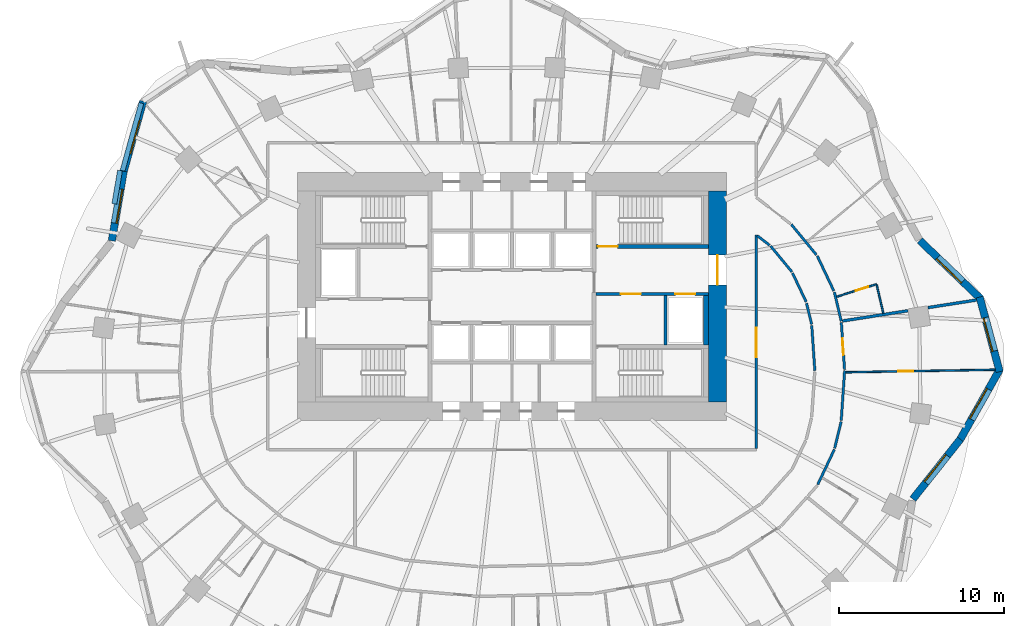
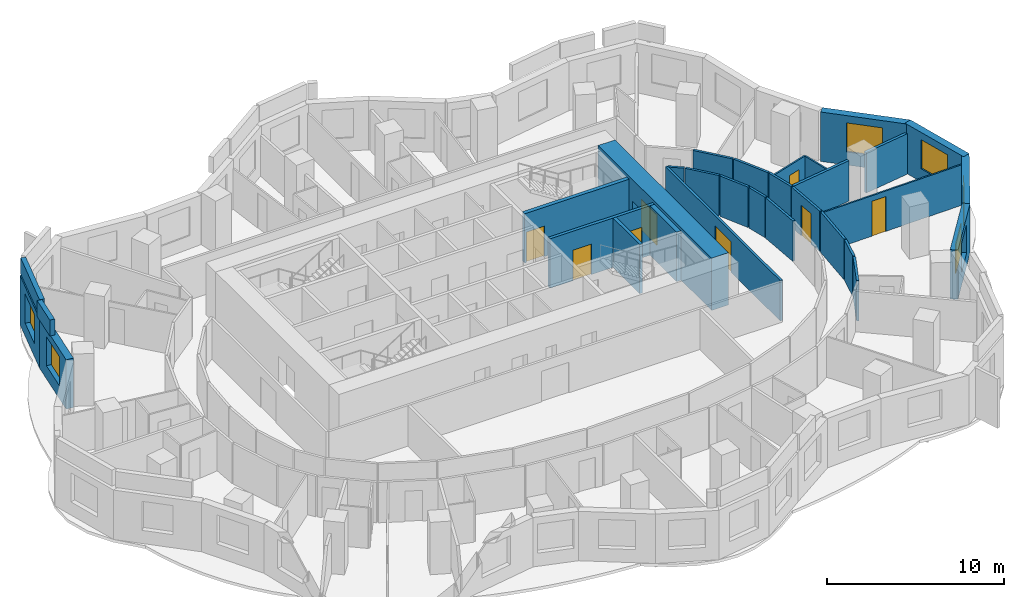
# One storey, part 7 of 11: 31 walls, 8 doors, 6 windows, 14 openings.
"""IFC4 building model written with IfcOpenShell, lengths in metres."""

from ifc_helpers import new_model, si_unit, direction, frame, frame_2d, origin, place, context, subcontext, project, spatial, rectangle, extrude, material, layer, layer_set, type_object, element, fill, save


model = new_model("IFC4")

# Units and contexts
model_context = context("Model", 3, precision=1e-05, world=origin(), true_north=direction((0.0, 1.0)))
body_context = subcontext(model_context, "Body", "Model", "MODEL_VIEW")
ifc_project = project(units=[si_unit("LENGTHUNIT", "METRE"), si_unit("AREAUNIT", "SQUARE_METRE"), si_unit("VOLUMEUNIT", "CUBIC_METRE"), si_unit("PLANEANGLEUNIT", "RADIAN"), si_unit("MASSUNIT", "GRAM", prefix="KILO")], contexts=[model_context])

# Site, building, storey
site_placement = place(None, origin())
site = spatial("IfcSite", under=ifc_project, at=site_placement, CompositionType="ELEMENT")
building_placement = place(site_placement, origin())
building = spatial("IfcBuilding", under=site, at=building_placement, Name="Rubra Terraces Tower", CompositionType="ELEMENT")
storey_placement = place(building_placement, frame((0.0, 0.0, 81.60009765625)))
storey = spatial("IfcBuildingStorey", under=building, at=storey_placement, Name="L18", CompositionType="ELEMENT", Elevation=81.60009765625)

# Walls
ifc_material_1 = material(Name="Twin plasterboard on staggered steel stud, acoustic mineral wool", Category="steel")
ifc_layer_1 = layer(ifc_material_1, 0.175048828125)
ifc_layer_set_1 = layer_set([ifc_layer_1], Name="Twin plasterboard on staggered steel stud, acoustic mineral wool")
wall_type_1 = type_object("IfcWallType", Name="ACOUSTIC PARTY WALL 175", PredefinedType="PARTITIONING", material=ifc_layer_set_1)
wall_1_placement = place(storey_placement, frame((28.1396484375, 4.282470703125, 0.0), z_axis=(0.0, 0.0, 1.0), x_axis=(-0.988018688308, -0.154334285089, 0.0)))
element("IfcWall", 1, at=wall_1_placement, inside=storey, type_object=wall_type_1, Name="PARTITION", PredefinedType="PARTITIONING", context=body_context, shape_type="SweptSolid", body=[
    extrude(rectangle(XDim=2.972412109375, YDim=0.175048828125, at=frame_2d((1.486328125, 0.0))), origin(), (0.0, 0.0, 1.0), 2.783935546875),
])
wall_2_placement = place(storey_placement, frame((23.977783203125, 3.63232421875, 0.0), z_axis=(0.0, 0.0, 1.0), x_axis=(-0.988026255512, -0.154285833501, 0.0)))
element("IfcWall", 2, at=wall_2_placement, inside=storey, type_object=wall_type_1, Name="PARTITION", PredefinedType="PARTITIONING", context=body_context, shape_type="SweptSolid", body=[
    extrude(rectangle(XDim=4.00830078125, YDim=0.175048828125, at=frame_2d((2.004150390625, 0.0))), origin(), (0.0, 0.0, 1.0), 2.783935546875),
])

# Wall, opening, window
ifc_material_2 = material(Name="Brick masonry red-brown", Category="masonry")
ifc_layer_2 = layer(ifc_material_2, 0.449951171875)
ifc_layer_set_2 = layer_set([ifc_layer_2], Name="Brick masonry red-brown")
wall_type_2 = type_object("IfcWallType", Name="Brick facade wall 450", PredefinedType="SOLIDWALL", material=ifc_layer_set_2)
wall_3_placement = place(storey_placement, frame((29.539794921875, -0.05810546875, 0.0), z_axis=(0.0, 0.0, 1.0), x_axis=(-0.258581372102, 0.96598947924, 0.0)))
wall_3 = element("IfcWall", 3, at=wall_3_placement, inside=storey, type_object=wall_type_2, Name="Facade wall L18 bay 1", PredefinedType="SOLIDWALL", context=body_context, shape_type="SweptSolid", body=[
    extrude(rectangle(XDim=4.68017578125, YDim=0.449951171875, at=frame_2d((2.340087890625, 0.0))), origin(), (0.0, 0.0, 1.0), 3.39990234375),
])
opening_1_placement = place(wall_3_placement, frame((1.2900390625, 0.0, 0.89990234375)))
opening_1 = element("IfcOpeningElement", 4, at=opening_1_placement, cuts=wall_3, Name="Opening W1", PredefinedType="OPENING", context=body_context, shape_type="SweptSolid", body=[
    extrude(rectangle(XDim=2.10009765625, YDim=2.0, at=frame_2d((1.050048828125, 1.0))), frame((0.0, 0.23486328125, 0.0), z_axis=(0.0, -1.0, 0.0), x_axis=(1.0, 0.0, 0.0)), (0.0, 0.0, 1.0), 0.469970703125),
])
ifc_material_3 = material(Name="Clear glass in aluminium frame", Category="aluminium")
window_type = type_object("IfcWindowType", Name="Fixed deep-set window 2100 x 2000", PartitioningType="SINGLE_PANEL", PredefinedType="WINDOW", material=ifc_material_3)
window_1_placement = place(opening_1_placement, origin())
window_1 = element("IfcWindow", 5, at=window_1_placement, inside=storey, type_object=window_type, Name="Window L18 bay 1", OverallHeight=2.0, OverallWidth=2.10009765625, PartitioningType="SINGLE_PANEL", PredefinedType="WINDOW", context=body_context, shape_type="SweptSolid", body=[
    extrude(rectangle(XDim=2.10009765625, YDim=2.0, at=frame_2d((1.050048828125, 1.0))), frame((0.0, 0.135009765625, 0.0), z_axis=(0.0, -1.0, 0.0), x_axis=(1.0, 0.0, 0.0)), (0.0, 0.0, 1.0), 0.06005859375),
])
fill(opening_1, window_1)

wall_4_placement = place(storey_placement, frame((28.38720703125, 4.362548828125, 0.0), z_axis=(0.0, 0.0, 1.0), x_axis=(-0.722717697728, 0.691143349379, 0.0)))
wall_4 = element("IfcWall", 6, at=wall_4_placement, inside=storey, type_object=wall_type_2, Name="Facade wall L18 bay 2", PredefinedType="SOLIDWALL", context=body_context, shape_type="SweptSolid", body=[
    extrude(rectangle(XDim=5.103271484375, YDim=0.449951171875, at=frame_2d((2.5517578125, 0.0))), origin(), (0.0, 0.0, 1.0), 3.39990234375),
])
opening_2_placement = place(wall_4_placement, frame((1.501708984375, 0.0, 0.89990234375)))
opening_2 = element("IfcOpeningElement", 7, at=opening_2_placement, cuts=wall_4, Name="Opening W1", PredefinedType="OPENING", context=body_context, shape_type="SweptSolid", body=[
    extrude(rectangle(XDim=2.10009765625, YDim=2.0, at=frame_2d((1.050048828125, 1.0))), frame((0.0, 0.23486328125, 0.0), z_axis=(0.0, -1.0, 0.0), x_axis=(1.0, 0.0, 0.0)), (0.0, 0.0, 1.0), 0.469970703125),
])
window_2_placement = place(opening_2_placement, origin())
window_2 = element("IfcWindow", 8, at=window_2_placement, inside=storey, type_object=window_type, Name="Window L18 bay 2", OverallHeight=2.0, OverallWidth=2.10009765625, PartitioningType="SINGLE_PANEL", PredefinedType="WINDOW", context=body_context, shape_type="SweptSolid", body=[
    extrude(rectangle(XDim=2.10009765625, YDim=2.0, at=frame_2d((1.050048828125, 1.0))), frame((0.0, 0.135009765625, 0.0), z_axis=(0.0, -1.0, 0.0), x_axis=(1.0, 0.0, 0.0)), (0.0, 0.0, 1.0), 0.06005859375),
])
fill(opening_2, window_2)

wall_5_placement = place(storey_placement, frame((-22.343505859375, 16.32568359375, 0.0), z_axis=(0.0, 0.0, 1.0), x_axis=(-0.267925456304, -0.963439645159, 0.0)))
wall_5 = element("IfcWall", 9, at=wall_5_placement, inside=storey, type_object=wall_type_2, Name="Facade wall L18 bay 17", PredefinedType="SOLIDWALL", context=body_context, shape_type="SweptSolid", body=[
    extrude(rectangle(XDim=4.4267578125, YDim=0.449951171875, at=frame_2d((2.21337890625, 0.0))), origin(), (0.0, 0.0, 1.0), 3.39990234375),
])
opening_3_placement = place(wall_5_placement, frame((1.16357421875, 0.0, 0.89990234375)))
opening_3 = element("IfcOpeningElement", 10, at=opening_3_placement, cuts=wall_5, Name="Opening W1", PredefinedType="OPENING", context=body_context, shape_type="SweptSolid", body=[
    extrude(rectangle(XDim=2.10009765625, YDim=2.0, at=frame_2d((1.050048828125, 1.0))), frame((0.0, 0.23486328125, 0.0), z_axis=(0.0, -1.0, 0.0), x_axis=(1.0, 0.0, 0.0)), (0.0, 0.0, 1.0), 0.469970703125),
])
window_3_placement = place(opening_3_placement, origin())
window_3 = element("IfcWindow", 11, at=window_3_placement, inside=storey, type_object=window_type, Name="Window L18 bay 17", OverallHeight=2.0, OverallWidth=2.10009765625, PartitioningType="SINGLE_PANEL", PredefinedType="WINDOW", context=body_context, shape_type="SweptSolid", body=[
    extrude(rectangle(XDim=2.10009765625, YDim=2.0, at=frame_2d((1.050048828125, 1.0))), frame((0.0, 0.135009765625, 0.0), z_axis=(0.0, -1.0, 0.0), x_axis=(1.0, 0.0, 0.0)), (0.0, 0.0, 1.0), 0.06005859375),
])
fill(opening_3, window_3)

wall_6_placement = place(storey_placement, frame((-23.524169921875, 12.0830078125, 0.0), z_axis=(0.0, 0.0, 1.0), x_axis=(-0.167445072349, -0.985881406532, 0.0)))
wall_6 = element("IfcWall", 12, at=wall_6_placement, inside=storey, type_object=wall_type_2, Name="Facade wall L18 bay 18", PredefinedType="SOLIDWALL", context=body_context, shape_type="SweptSolid", body=[
    extrude(rectangle(XDim=4.27490234375, YDim=0.449951171875, at=frame_2d((2.137451171875, 0.0))), origin(), (0.0, 0.0, 1.0), 3.39990234375),
])
opening_4_placement = place(wall_6_placement, frame((1.08740234375, 0.0, 0.89990234375)))
opening_4 = element("IfcOpeningElement", 13, at=opening_4_placement, cuts=wall_6, Name="Opening W1", PredefinedType="OPENING", context=body_context, shape_type="SweptSolid", body=[
    extrude(rectangle(XDim=2.10009765625, YDim=2.0, at=frame_2d((1.050048828125, 1.0))), frame((0.0, 0.23486328125, 0.0), z_axis=(0.0, -1.0, 0.0), x_axis=(1.0, 0.0, 0.0)), (0.0, 0.0, 1.0), 0.469970703125),
])
window_4_placement = place(opening_4_placement, origin())
window_4 = element("IfcWindow", 14, at=window_4_placement, inside=storey, type_object=window_type, Name="Window L18 bay 18", OverallHeight=2.0, OverallWidth=2.10009765625, PartitioningType="SINGLE_PANEL", PredefinedType="WINDOW", context=body_context, shape_type="SweptSolid", body=[
    extrude(rectangle(XDim=2.10009765625, YDim=2.0, at=frame_2d((1.050048828125, 1.0))), frame((0.0, 0.135009765625, 0.0), z_axis=(0.0, -1.0, 0.0), x_axis=(1.0, 0.0, 0.0)), (0.0, 0.0, 1.0), 0.06005859375),
])
fill(opening_4, window_4)

wall_7_placement = place(storey_placement, frame((24.2822265625, -7.773681640625, 0.0), z_axis=(0.0, 0.0, 1.0), x_axis=(0.621735490397, 0.783227285008, 0.0)))
wall_7 = element("IfcWall", 15, at=wall_7_placement, inside=storey, type_object=wall_type_2, Name="Facade wall L18 bay 39", PredefinedType="SOLIDWALL", context=body_context, shape_type="SweptSolid", body=[
    extrude(rectangle(XDim=4.62451171875, YDim=0.449951171875, at=frame_2d((2.312255859375, 0.0))), origin(), (0.0, 0.0, 1.0), 3.39990234375),
])
opening_5_placement = place(wall_7_placement, frame((1.26220703125, 0.0, 0.89990234375)))
opening_5 = element("IfcOpeningElement", 16, at=opening_5_placement, cuts=wall_7, Name="Opening W1", PredefinedType="OPENING", context=body_context, shape_type="SweptSolid", body=[
    extrude(rectangle(XDim=2.10009765625, YDim=2.0, at=frame_2d((1.050048828125, 1.0))), frame((0.0, 0.23486328125, 0.0), z_axis=(0.0, -1.0, 0.0), x_axis=(1.0, 0.0, 0.0)), (0.0, 0.0, 1.0), 0.469970703125),
])
window_5_placement = place(opening_5_placement, origin())
window_5 = element("IfcWindow", 17, at=window_5_placement, inside=storey, type_object=window_type, Name="Window L18 bay 39", OverallHeight=2.0, OverallWidth=2.10009765625, PartitioningType="SINGLE_PANEL", PredefinedType="WINDOW", context=body_context, shape_type="SweptSolid", body=[
    extrude(rectangle(XDim=2.10009765625, YDim=2.0, at=frame_2d((1.050048828125, 1.0))), frame((0.0, 0.135009765625, 0.0), z_axis=(0.0, -1.0, 0.0), x_axis=(1.0, 0.0, 0.0)), (0.0, 0.0, 1.0), 0.06005859375),
])
fill(opening_5, window_5)

wall_8_placement = place(storey_placement, frame((27.138427734375, -4.180908203125, 0.0), z_axis=(0.0, 0.0, 1.0), x_axis=(0.491588303761, 0.870827732451, 0.0)))
wall_8 = element("IfcWall", 18, at=wall_8_placement, inside=storey, type_object=wall_type_2, Name="Facade wall L18 bay 40", PredefinedType="SOLIDWALL", context=body_context, shape_type="SweptSolid", body=[
    extrude(rectangle(XDim=4.924072265625, YDim=0.449951171875, at=frame_2d((2.4619140625, 0.0))), origin(), (0.0, 0.0, 1.0), 3.39990234375),
])
opening_6_placement = place(wall_8_placement, frame((1.412109375, 0.0, 0.89990234375)))
opening_6 = element("IfcOpeningElement", 19, at=opening_6_placement, cuts=wall_8, Name="Opening W1", PredefinedType="OPENING", context=body_context, shape_type="SweptSolid", body=[
    extrude(rectangle(XDim=2.10009765625, YDim=2.0, at=frame_2d((1.050048828125, 1.0))), frame((0.0, 0.23486328125, 0.0), z_axis=(0.0, -1.0, 0.0), x_axis=(1.0, 0.0, 0.0)), (0.0, 0.0, 1.0), 0.469970703125),
])
window_6_placement = place(opening_6_placement, origin())
window_6 = element("IfcWindow", 20, at=window_6_placement, inside=storey, type_object=window_type, Name="Window L18 bay 40", OverallHeight=2.0, OverallWidth=2.10009765625, PartitioningType="SINGLE_PANEL", PredefinedType="WINDOW", context=body_context, shape_type="SweptSolid", body=[
    extrude(rectangle(XDim=2.10009765625, YDim=2.0, at=frame_2d((1.050048828125, 1.0))), frame((0.0, 0.135009765625, 0.0), z_axis=(0.0, -1.0, 0.0), x_axis=(1.0, 0.0, 0.0)), (0.0, 0.0, 1.0), 0.06005859375),
])
fill(opening_6, window_6)

# Walls
ifc_layer_3 = layer(ifc_material_2, 0.300048828125)
ifc_layer_set_3 = layer_set([ifc_layer_3], Name="Brick masonry red-brown")
wall_type_3 = type_object("IfcWallType", Name="Brick parapet 300", PredefinedType="PARAPET", material=ifc_layer_set_3)
wall_9_placement = place(storey_placement, frame((-22.452392578125, 16.213134765625, 3.599853515625), z_axis=(0.0, 0.0, 1.0), x_axis=(-0.267993020858, -0.963420853403, 0.0)))
element("IfcWall", 21, at=wall_9_placement, inside=storey, type_object=wall_type_3, Name="Parapet L18 bay 17", PredefinedType="PARAPET", context=body_context, shape_type="SweptSolid", body=[
    extrude(rectangle(XDim=4.25537109375, YDim=0.300048828125, at=frame_2d((2.127685546875, 0.0))), origin(), (0.0, 0.0, 1.0), 1.10009765625),
])
wall_10_placement = place(storey_placement, frame((-23.7451171875, 12.125, 3.599853515625), z_axis=(0.0, 0.0, 1.0), x_axis=(-0.16743218322, -0.985883595574, 0.0)))
element("IfcWall", 22, at=wall_10_placement, inside=storey, type_object=wall_type_3, Name="Parapet L18 bay 18", PredefinedType="PARAPET", context=body_context, shape_type="SweptSolid", body=[
    extrude(rectangle(XDim=2.048583984375, YDim=0.300048828125, at=frame_2d((1.0244140625, 0.0))), origin(), (0.0, 0.0, 1.0), 1.10009765625),
])

# Wall, opening, door
ifc_material_4 = material(Name="Concrete C60", Category="concrete")
ifc_layer_4 = layer(ifc_material_4, 1.10009765625)
ifc_layer_set_4 = layer_set([ifc_layer_4], Name="Concrete C60")
wall_type_4 = type_object("IfcWallType", Name="CORE WALL 1100 C60", PredefinedType="SHEAR", material=ifc_layer_set_4)
wall_11_placement = place(storey_placement, frame((12.449951171875, -1.89990234375, 0.0), z_axis=(0.0, 0.0, 1.0), x_axis=(0.0, 1.0, 0.0)))
wall_11 = element("IfcWall", 23, at=wall_11_placement, inside=storey, type_object=wall_type_4, Name="CORE WALL E L18", PredefinedType="SHEAR", context=body_context, shape_type="SweptSolid", body=[
    extrude(rectangle(XDim=12.7998046875, YDim=1.10009765625, at=frame_2d((6.39990234375, 0.0))), origin(), (0.0, 0.0, 1.0), 3.599853515625),
])
opening_7_placement = place(wall_11_placement, frame((7.10009765625, 0.0, 0.0)))
opening_7 = element("IfcOpeningElement", 24, at=opening_7_placement, cuts=wall_11, Name="Opening L18.C02", PredefinedType="OPENING", context=body_context, shape_type="SweptSolid", body=[
    extrude(rectangle(XDim=1.800048828125, YDim=2.10009765625, at=frame_2d((0.89990234375, 1.050048828125))), frame((0.0, 0.56005859375, 0.0), z_axis=(0.0, -1.0, 0.0), x_axis=(1.0, 0.0, 0.0)), (0.0, 0.0, 1.0), 1.1201171875),
])
ifc_material_5 = material(Name="Painted steel", Category="steel")
door_type_1 = type_object("IfcDoorType", Name="Fire door 1800x2100 double", OperationType="NOTDEFINED", PredefinedType="DOOR", material=ifc_material_5)
door_1_placement = place(opening_7_placement, origin())
door_1 = element("IfcDoor", 25, at=door_1_placement, inside=storey, type_object=door_type_1, Name="Core entrance door FF2", OperationType="DOUBLE_DOOR_SINGLE_SWING", OverallHeight=2.10009765625, OverallWidth=1.800048828125, PredefinedType="DOOR", context=body_context, shape_type="SweptSolid", body=[
    extrude(rectangle(XDim=1.800048828125, YDim=2.10009765625, at=frame_2d((0.89990234375, 1.050048828125))), frame((0.0, 0.02490234375, 0.0), z_axis=(0.0, -1.0, 0.0), x_axis=(1.0, 0.0, 0.0)), (0.0, 0.0, 1.0), 0.050048828125),
])
fill(opening_7, door_1)

# Walls
ifc_material_6 = material(Name="Plasterboard on steel stud, mineral wool infill", Category="steel")
ifc_layer_5 = layer(ifc_material_6, 0.14990234375)
ifc_layer_set_5 = layer_set([ifc_layer_5], Name="Plasterboard on steel stud, mineral wool infill")
wall_type_5 = type_object("IfcWallType", Name="CORRIDOR PARTITION 150", PredefinedType="PARTITIONING", material=ifc_layer_set_5)
wall_12_placement = place(storey_placement, frame((19.943359375, 3.002197265625, 0.0), z_axis=(0.0, 0.0, 1.0), x_axis=(-0.22915183129, 0.973390691458, 0.0)))
element("IfcWall", 26, at=wall_12_placement, inside=storey, type_object=wall_type_5, Name="PARTITION", PredefinedType="PARTITIONING", context=body_context, shape_type="SweptSolid", body=[
    extrude(rectangle(XDim=1.814453125, YDim=0.14990234375, at=frame_2d((0.9072265625, 0.0))), origin(), (0.0, 0.0, 1.0), 2.783935546875),
])
wall_13_placement = place(storey_placement, frame((19.495361328125, 4.836181640625, 0.0), z_axis=(0.0, 0.0, 1.0), x_axis=(-0.428157819028, 0.903703979191, 0.0)))
element("IfcWall", 27, at=wall_13_placement, inside=storey, type_object=wall_type_5, Name="PARTITION", PredefinedType="PARTITIONING", context=body_context, shape_type="SweptSolid", body=[
    extrude(rectangle(XDim=2.349365234375, YDim=0.14990234375, at=frame_2d((1.1748046875, 0.0))), origin(), (0.0, 0.0, 1.0), 2.783935546875),
])
wall_14_placement = place(storey_placement, frame((18.44189453125, 7.01708984375, 0.0), z_axis=(0.0, 0.0, 1.0), x_axis=(-0.636538018119, 0.7712453251, 0.0)))
element("IfcWall", 28, at=wall_14_placement, inside=storey, type_object=wall_type_5, Name="PARTITION", PredefinedType="PARTITIONING", context=body_context, shape_type="SweptSolid", body=[
    extrude(rectangle(XDim=2.388671875, YDim=0.14990234375, at=frame_2d((1.1943359375, 0.0))), origin(), (0.0, 0.0, 1.0), 2.783935546875),
])
wall_15_placement = place(storey_placement, frame((18.521728515625, -6.891357421875, 0.0), z_axis=(0.0, 0.0, 1.0), x_axis=(0.428157819028, 0.903703979191, 0.0)))
element("IfcWall", 29, at=wall_15_placement, inside=storey, type_object=wall_type_5, Name="PARTITION", PredefinedType="PARTITIONING", context=body_context, shape_type="SweptSolid", body=[
    extrude(rectangle(XDim=2.349365234375, YDim=0.14990234375, at=frame_2d((1.1748046875, 0.0))), origin(), (0.0, 0.0, 1.0), 2.783935546875),
])
wall_16_placement = place(storey_placement, frame((19.54541015625, -4.695556640625, 0.0), z_axis=(0.0, 0.0, 1.0), x_axis=(0.23674251562, 0.971572427201, 0.0)))
element("IfcWall", 30, at=wall_16_placement, inside=storey, type_object=wall_type_5, Name="PARTITION", PredefinedType="PARTITIONING", context=body_context, shape_type="SweptSolid", body=[
    extrude(rectangle(XDim=1.6572265625, YDim=0.14990234375, at=frame_2d((0.82861328125, 0.0))), origin(), (0.0, 0.0, 1.0), 2.783935546875),
])
wall_17_placement = place(storey_placement, frame((19.94287109375, -3.0107421875, 0.0), z_axis=(0.0, 0.0, 1.0), x_axis=(0.068280105787, 0.997666190243, 0.0)))
element("IfcWall", 31, at=wall_17_placement, inside=storey, type_object=wall_type_5, Name="PARTITION", PredefinedType="PARTITIONING", context=body_context, shape_type="SweptSolid", body=[
    extrude(rectangle(XDim=3.017822265625, YDim=0.14990234375, at=frame_2d((1.5087890625, 0.0))), origin(), (0.0, 0.0, 1.0), 2.783935546875),
])

# Wall, opening, door
wall_18_placement = place(storey_placement, frame((20.143798828125, 0.07470703125, 0.0), z_axis=(0.0, 0.0, 1.0), x_axis=(-0.068303949208, 0.997664558117, 0.0)))
wall_18 = element("IfcWall", 32, at=wall_18_placement, inside=storey, type_object=wall_type_5, Name="PARTITION", PredefinedType="PARTITIONING", context=body_context, shape_type="SweptSolid", body=[
    extrude(rectangle(XDim=2.859375, YDim=0.14990234375, at=frame_2d((1.4296875, 0.0))), origin(), (0.0, 0.0, 1.0), 2.783935546875),
])
opening_8_placement = place(wall_18_placement, frame((0.882080078125, 0.0, 0.0)))
opening_8 = element("IfcOpeningElement", 33, at=opening_8_placement, cuts=wall_18, Name="Opening 18-135", PredefinedType="OPENING", context=body_context, shape_type="SweptSolid", body=[
    extrude(rectangle(XDim=1.0, YDim=2.10009765625, at=frame_2d((0.5, 1.050048828125))), frame((0.0, 0.0849609375, 0.0), z_axis=(0.0, -1.0, 0.0), x_axis=(1.0, 0.0, 0.0)), (0.0, 0.0, 1.0), 0.169921875),
])
ifc_material_7 = material(Name="Painted timber door leaf", Category="wood")
door_type_2 = type_object("IfcDoorType", Name="ROOM DOOR 1000 X 2100", OperationType="SINGLE_SWING_LEFT", PredefinedType="DOOR", material=ifc_material_7)
door_2_placement = place(opening_8_placement, origin())
door_2 = element("IfcDoor", 34, at=door_2_placement, inside=storey, type_object=door_type_2, Name="DOOR 18-135", OperationType="SINGLE_SWING_RIGHT", OverallHeight=2.10009765625, OverallWidth=1.0, PredefinedType="DOOR", context=body_context, shape_type="SweptSolid", body=[
    extrude(rectangle(XDim=1.0, YDim=2.10009765625, at=frame_2d((0.5, 1.050048828125))), frame((0.0, 0.02490234375, 0.0), z_axis=(0.0, -1.0, 0.0), x_axis=(1.0, 0.0, 0.0)), (0.0, 0.0, 1.0), 0.050048828125),
])
fill(opening_8, door_2)

# Walls
wall_19_placement = place(storey_placement, frame((15.66162109375, 7.557861328125, 0.0), z_axis=(0.0, 0.0, 1.0), x_axis=(0.636500564941, -0.7712762351, 0.0)))
element("IfcWall", 35, at=wall_19_placement, inside=storey, type_object=wall_type_5, Name="PARTITION", PredefinedType="PARTITIONING", context=body_context, shape_type="SweptSolid", body=[
    extrude(rectangle(XDim=2.037841796875, YDim=0.14990234375, at=frame_2d((1.01904296875, 0.0))), origin(), (0.0, 0.0, 1.0), 2.783935546875),
])
wall_20_placement = place(storey_placement, frame((16.990966796875, 5.918212890625, 0.0), z_axis=(0.0, 0.0, 1.0), x_axis=(0.428199863362, -0.903684058185, 0.0)))
element("IfcWall", 36, at=wall_20_placement, inside=storey, type_object=wall_type_5, Name="PARTITION", PredefinedType="PARTITIONING", context=body_context, shape_type="SweptSolid", body=[
    extrude(rectangle(XDim=1.94140625, YDim=0.14990234375, at=frame_2d((0.970703125, 0.0))), origin(), (0.0, 0.0, 1.0), 2.783935546875),
])
wall_21_placement = place(storey_placement, frame((17.840087890625, 4.0908203125, 0.0), z_axis=(0.0, 0.0, 1.0), x_axis=(0.236653741324, -0.971594054489, 0.0)))
element("IfcWall", 37, at=wall_21_placement, inside=storey, type_object=wall_type_5, Name="PARTITION", PredefinedType="PARTITIONING", context=body_context, shape_type="SweptSolid", body=[
    extrude(rectangle(XDim=1.319580078125, YDim=0.14990234375, at=frame_2d((0.65966796875, 0.0))), origin(), (0.0, 0.0, 1.0), 2.783935546875),
])
wall_22_placement = place(storey_placement, frame((18.157470703125, 2.734130859375, 0.0), z_axis=(0.0, 0.0, 1.0), x_axis=(0.068328193832, -0.997662897941, 0.0)))
element("IfcWall", 38, at=wall_22_placement, inside=storey, type_object=wall_type_5, Name="PARTITION", PredefinedType="PARTITIONING", context=body_context, shape_type="SweptSolid", body=[
    extrude(rectangle(XDim=2.740478515625, YDim=0.14990234375, at=frame_2d((1.3701171875, 0.0))), origin(), (0.0, 0.0, 1.0), 2.783935546875),
])

# Wall, opening, door
wall_23_placement = place(storey_placement, frame((14.800048828125, -4.72509765625, 0.0), z_axis=(0.0, 0.0, 1.0), x_axis=(0.0, 1.0, 0.0)))
wall_23 = element("IfcWall", 39, at=wall_23_placement, inside=storey, type_object=wall_type_5, Name="PARTITION", PredefinedType="PARTITIONING", context=body_context, shape_type="SweptSolid", body=[
    extrude(rectangle(XDim=12.947998046875, YDim=0.14990234375, at=frame_2d((6.47412109375, 0.0))), origin(), (0.0, 0.0, 1.0), 2.783935546875),
])
opening_9_placement = place(wall_23_placement, frame((5.535888671875, 0.0, 0.0)))
opening_9 = element("IfcOpeningElement", 40, at=opening_9_placement, cuts=wall_23, Name="Opening 18-138", PredefinedType="OPENING", context=body_context, shape_type="SweptSolid", body=[
    extrude(rectangle(XDim=1.800048828125, YDim=2.10009765625, at=frame_2d((0.89990234375, 1.050048828125))), frame((0.0, 0.0849609375, 0.0), z_axis=(0.0, -1.0, 0.0), x_axis=(1.0, 0.0, 0.0)), (0.0, 0.0, 1.0), 0.169921875),
])
ifc_material_8 = material(Name="Painted timber door leaf, double", Category="wood")
door_type_3 = type_object("IfcDoorType", Name="ROOM DOUBLE DOOR 1800 X 2100", OperationType="DOUBLE_DOOR_SINGLE_SWING", PredefinedType="DOOR", material=ifc_material_8)
door_3_placement = place(opening_9_placement, origin())
door_3 = element("IfcDoor", 41, at=door_3_placement, inside=storey, type_object=door_type_3, Name="DOOR 18-138", OperationType="DOUBLE_DOOR_SINGLE_SWING", OverallHeight=2.10009765625, OverallWidth=1.800048828125, PredefinedType="DOOR", context=body_context, shape_type="SweptSolid", body=[
    extrude(rectangle(XDim=1.800048828125, YDim=2.10009765625, at=frame_2d((0.89990234375, 1.050048828125))), frame((0.0, 0.02490234375, 0.0), z_axis=(0.0, -1.0, 0.0), x_axis=(1.0, 0.0, 0.0)), (0.0, 0.0, 1.0), 0.050048828125),
])
fill(opening_9, door_3)

# Walls
wall_24_placement = place(storey_placement, frame((14.859375, 8.177001953125, 0.0), z_axis=(0.0, 0.0, 1.0), x_axis=(0.791588113465, -0.611055037309, 0.0)))
element("IfcWall", 42, at=wall_24_placement, inside=storey, type_object=wall_type_5, Name="PARTITION", PredefinedType="PARTITIONING", context=body_context, shape_type="SweptSolid", body=[
    extrude(rectangle(XDim=0.9384765625, YDim=0.14990234375, at=frame_2d((0.46923828125, 0.0))), origin(), (0.0, 0.0, 1.0), 2.783935546875),
])
ifc_material_9 = material(Name="Concrete C40", Category="concrete")
ifc_layer_6 = layer(ifc_material_9, 0.300048828125)
ifc_layer_set_6 = layer_set([ifc_layer_6], Name="Concrete C40")
wall_type_6 = type_object("IfcWallType", Name="Core lining wall 300 concrete", PredefinedType="SOLIDWALL", material=ifc_layer_set_6)
wall_25_placement = place(storey_placement, frame((11.75, 4.550048828125, 0.0), z_axis=(0.0, 0.0, 1.0), x_axis=(0.0, -1.0, 0.0)))
element("IfcWall", 43, at=wall_25_placement, inside=storey, type_object=wall_type_6, Name="CORE LINING WALL L18", PredefinedType="SOLIDWALL", context=body_context, shape_type="SweptSolid", body=[
    extrude(rectangle(XDim=3.0, YDim=0.300048828125, at=frame_2d((1.5, 0.0))), origin(), (0.0, 0.0, 1.0), 3.39990234375),
])

# Wall, openings, doors
ifc_material_10 = material(Name="Concrete C30", Category="concrete")
ifc_layer_7 = layer(ifc_material_10, 0.199951171875)
ifc_layer_set_7 = layer_set([ifc_layer_7], Name="Concrete C30")
wall_type_7 = type_object("IfcWallType", Name="Core wall 200 concrete", PredefinedType="SOLIDWALL", material=ifc_layer_set_7)
wall_26_placement = place(storey_placement, frame((11.89990234375, 4.64990234375, 0.0), z_axis=(0.0, 0.0, 1.0), x_axis=(-1.0, 0.0, 0.0)))
wall_26 = element("IfcWall", 44, at=wall_26_placement, inside=storey, type_object=wall_type_7, Name="STAIR WALL L18", PredefinedType="SOLIDWALL", context=body_context, shape_type="SweptSolid", body=[
    extrude(rectangle(XDim=6.7998046875, YDim=0.199951171875, at=frame_2d((3.39990234375, 0.0))), origin(), (0.0, 0.0, 1.0), 3.39990234375),
])
opening_10_placement = place(wall_26_placement, frame((4.10009765625, 0.0, 0.0)))
opening_10 = element("IfcOpeningElement", 45, at=opening_10_placement, cuts=wall_26, Name="Opening L18.C06", PredefinedType="OPENING", context=body_context, shape_type="SweptSolid", body=[
    extrude(rectangle(XDim=1.199951171875, YDim=2.10009765625, at=frame_2d((0.60009765625, 1.050048828125))), frame((0.0, 0.10986328125, 0.0), z_axis=(0.0, -1.0, 0.0), x_axis=(1.0, 0.0, 0.0)), (0.0, 0.0, 1.0), 0.219970703125),
])
opening_11_placement = place(wall_26_placement, frame((0.800048828125, 0.0, 0.0)))
opening_11 = element("IfcOpeningElement", 46, at=opening_11_placement, cuts=wall_26, Name="Opening L18.C12", PredefinedType="OPENING", context=body_context, shape_type="SweptSolid", body=[
    extrude(rectangle(XDim=1.199951171875, YDim=2.10009765625, at=frame_2d((0.60009765625, 1.050048828125))), frame((0.0, 0.10986328125, 0.0), z_axis=(0.0, -1.0, 0.0), x_axis=(1.0, 0.0, 0.0)), (0.0, 0.0, 1.0), 0.219970703125),
])
door_type_4 = type_object("IfcDoorType", Name="Fire door 1200x2100 single", OperationType="NOTDEFINED", PredefinedType="DOOR", material=ifc_material_5)
door_4_placement = place(opening_10_placement, origin())
door_4 = element("IfcDoor", 47, at=door_4_placement, inside=storey, type_object=door_type_4, Name="Stair vestibule door S4", OperationType="SINGLE_SWING_RIGHT", OverallHeight=2.10009765625, OverallWidth=1.199951171875, PredefinedType="DOOR", context=body_context, shape_type="SweptSolid", body=[
    extrude(rectangle(XDim=1.199951171875, YDim=2.10009765625, at=frame_2d((0.60009765625, 1.050048828125))), frame((0.0, 0.02490234375, 0.0), z_axis=(0.0, -1.0, 0.0), x_axis=(1.0, 0.0, 0.0)), (0.0, 0.0, 1.0), 0.050048828125),
])
fill(opening_10, door_4)
ifc_material_11 = material(Name="Stainless steel", Category="steel")
door_type_5 = type_object("IfcDoorType", Name="Lift landing door 1200x2100", OperationType="NOTDEFINED", PredefinedType="DOOR", material=ifc_material_11)
door_5_placement = place(opening_11_placement, origin())
door_5 = element("IfcDoor", 48, at=door_5_placement, inside=storey, type_object=door_type_5, Name="Landing door FF2", OperationType="SLIDING_TO_RIGHT", OverallHeight=2.10009765625, OverallWidth=1.199951171875, PredefinedType="DOOR", context=body_context, shape_type="SweptSolid", body=[
    extrude(rectangle(XDim=1.199951171875, YDim=2.10009765625, at=frame_2d((0.60009765625, 1.050048828125))), frame((0.0, 0.02490234375, 0.0), z_axis=(0.0, -1.0, 0.0), x_axis=(1.0, 0.0, 0.0)), (0.0, 0.0, 1.0), 0.050048828125),
])
fill(opening_11, door_5)

# Wall
wall_27_placement = place(storey_placement, frame((9.300048828125, 4.550048828125, 0.0), z_axis=(0.0, 0.0, 1.0), x_axis=(0.0, -1.0, 0.0)))
element("IfcWall", 49, at=wall_27_placement, inside=storey, type_object=wall_type_7, Name="STAIR WALL L18", PredefinedType="SOLIDWALL", context=body_context, shape_type="SweptSolid", body=[
    extrude(rectangle(XDim=3.0, YDim=0.199951171875, at=frame_2d((1.5, 0.0))), origin(), (0.0, 0.0, 1.0), 3.39990234375),
])

# Wall, opening, door
ifc_material_12 = material(Name="Plasterboard on steel stud", Category="steel")
ifc_layer_8 = layer(ifc_material_12, 0.10009765625)
ifc_layer_set_8 = layer_set([ifc_layer_8], Name="Plasterboard on steel stud")
wall_type_8 = type_object("IfcWallType", Name="ROOM PARTITION 100", PredefinedType="PARTITIONING", material=ifc_layer_set_8)
wall_28_placement = place(storey_placement, frame((19.673828125, 4.484375, 0.0), z_axis=(0.0, 0.0, 1.0), x_axis=(0.954142155535, 0.299353882604, 0.0)))
wall_28 = element("IfcWall", 50, at=wall_28_placement, inside=storey, type_object=wall_type_8, Name="PARTITION", PredefinedType="PARTITIONING", context=body_context, shape_type="SweptSolid", body=[
    extrude(rectangle(XDim=2.52490234375, YDim=0.10009765625, at=frame_2d((1.262451171875, 0.0))), origin(), (0.0, 0.0, 1.0), 2.783935546875),
])
opening_12_placement = place(wall_28_placement, frame((1.199951171875, 0.0, 0.0)))
opening_12 = element("IfcOpeningElement", 51, at=opening_12_placement, cuts=wall_28, Name="Opening 18-101", PredefinedType="OPENING", context=body_context, shape_type="SweptSolid", body=[
    extrude(rectangle(XDim=0.800048828125, YDim=2.10009765625, at=frame_2d((0.39990234375, 1.050048828125))), frame((0.0, 0.06005859375, 0.0), z_axis=(0.0, -1.0, 0.0), x_axis=(1.0, 0.0, 0.0)), (0.0, 0.0, 1.0), 0.1201171875),
])
door_type_6 = type_object("IfcDoorType", Name="BATHROOM DOOR 800 X 2100", OperationType="SINGLE_SWING_LEFT", PredefinedType="DOOR", material=ifc_material_7)
door_6_placement = place(opening_12_placement, origin())
door_6 = element("IfcDoor", 52, at=door_6_placement, inside=storey, type_object=door_type_6, Name="DOOR 18-101", OperationType="SINGLE_SWING_LEFT", OverallHeight=2.10009765625, OverallWidth=0.800048828125, PredefinedType="DOOR", context=body_context, shape_type="SweptSolid", body=[
    extrude(rectangle(XDim=0.800048828125, YDim=2.10009765625, at=frame_2d((0.39990234375, 1.050048828125))), frame((0.0, 0.02490234375, 0.0), z_axis=(0.0, -1.0, 0.0), x_axis=(1.0, 0.0, 0.0)), (0.0, 0.0, 1.0), 0.050048828125),
])
fill(opening_12, door_6)

# Wall
wall_29_placement = place(storey_placement, frame((22.094482421875, 5.19140625, 0.0), z_axis=(0.0, 0.0, 1.0), x_axis=(0.227501327061, -0.973777770431, 0.0)))
element("IfcWall", 53, at=wall_29_placement, inside=storey, type_object=wall_type_8, Name="PARTITION", PredefinedType="PARTITIONING", context=body_context, shape_type="SweptSolid", body=[
    extrude(rectangle(XDim=1.760986328125, YDim=0.10009765625, at=frame_2d((0.88037109375, 0.0))), origin(), (0.0, 0.0, 1.0), 2.783935546875),
])

# Wall, opening, door
wall_30_placement = place(storey_placement, frame((29.27001953125, 0.06103515625, 0.0), z_axis=(0.0, 0.0, 1.0), x_axis=(-0.99985431895, -0.017068710461, 0.0)))
wall_30 = element("IfcWall", 54, at=wall_30_placement, inside=storey, type_object=wall_type_8, Name="PARTITION", PredefinedType="PARTITIONING", context=body_context, shape_type="SweptSolid", body=[
    extrude(rectangle(XDim=9.053955078125, YDim=0.10009765625, at=frame_2d((4.52685546875, 0.0))), origin(), (0.0, 0.0, 1.0), 2.783935546875),
])
opening_13_placement = place(wall_30_placement, frame((4.97900390625, 0.0, 0.0)))
opening_13 = element("IfcOpeningElement", 55, at=opening_13_placement, cuts=wall_30, Name="Opening 18-134", PredefinedType="OPENING", context=body_context, shape_type="SweptSolid", body=[
    extrude(rectangle(XDim=0.89990234375, YDim=2.39990234375, at=frame_2d((0.449951171875, 1.199951171875))), frame((0.0, 0.06005859375, 0.0), z_axis=(0.0, -1.0, 0.0), x_axis=(1.0, 0.0, 0.0)), (0.0, 0.0, 1.0), 0.1201171875),
])
ifc_material_13 = material(Name="Veneered timber door leaf, fire-rated", Category="wood")
door_type_7 = type_object("IfcDoorType", Name="SUITE ENTRANCE DOOR 900 X 2400", OperationType="SINGLE_SWING_LEFT", PredefinedType="DOOR", material=ifc_material_13)
door_7_placement = place(opening_13_placement, origin())
door_7 = element("IfcDoor", 56, at=door_7_placement, inside=storey, type_object=door_type_7, Name="DOOR 18-134", OperationType="SINGLE_SWING_LEFT", OverallHeight=2.39990234375, OverallWidth=0.89990234375, PredefinedType="DOOR", context=body_context, shape_type="SweptSolid", body=[
    extrude(rectangle(XDim=0.89990234375, YDim=2.39990234375, at=frame_2d((0.449951171875, 1.199951171875))), frame((0.0, 0.02490234375, 0.0), z_axis=(0.0, -1.0, 0.0), x_axis=(1.0, 0.0, 0.0)), (0.0, 0.0, 1.0), 0.050048828125),
])
fill(opening_13, door_7)

ifc_layer_9 = layer(ifc_material_9, 0.25)
ifc_layer_set_9 = layer_set([ifc_layer_9], Name="Concrete C40")
wall_type_9 = type_object("IfcWallType", Name="Stair enclosure wall 250 concrete", PredefinedType="SOLIDWALL", material=ifc_layer_set_9)
wall_31_placement = place(storey_placement, frame((11.89990234375, 7.52490234375, 0.0), z_axis=(0.0, 0.0, 1.0), x_axis=(-1.0, 0.0, 0.0)))
wall_31 = element("IfcWall", 57, at=wall_31_placement, inside=storey, type_object=wall_type_9, Name="STAIR WALL L18", PredefinedType="SOLIDWALL", context=body_context, shape_type="SweptSolid", body=[
    extrude(rectangle(XDim=6.7998046875, YDim=0.25, at=frame_2d((3.39990234375, 0.0))), origin(), (0.0, 0.0, 1.0), 3.39990234375),
])
opening_14_placement = place(wall_31_placement, frame((5.5, 0.0, 0.0)))
opening_14 = element("IfcOpeningElement", 58, at=opening_14_placement, cuts=wall_31, Name="Opening L18.C08", PredefinedType="OPENING", context=body_context, shape_type="SweptSolid", body=[
    extrude(rectangle(XDim=1.199951171875, YDim=2.10009765625, at=frame_2d((0.60009765625, 1.050048828125))), frame((0.0, 0.135009765625, 0.0), z_axis=(0.0, -1.0, 0.0), x_axis=(1.0, 0.0, 0.0)), (0.0, 0.0, 1.0), 0.27001953125),
])
door_8_placement = place(opening_14_placement, origin())
door_8 = element("IfcDoor", 59, at=door_8_placement, inside=storey, type_object=door_type_4, Name="Stair door S3", OperationType="SINGLE_SWING_RIGHT", OverallHeight=2.10009765625, OverallWidth=1.199951171875, PredefinedType="DOOR", context=body_context, shape_type="SweptSolid", body=[
    extrude(rectangle(XDim=1.199951171875, YDim=2.10009765625, at=frame_2d((0.60009765625, 1.050048828125))), frame((0.0, 0.02490234375, 0.0), z_axis=(0.0, -1.0, 0.0), x_axis=(1.0, 0.0, 0.0)), (0.0, 0.0, 1.0), 0.050048828125),
])
fill(opening_14, door_8)

save(model, "model.ifc")
